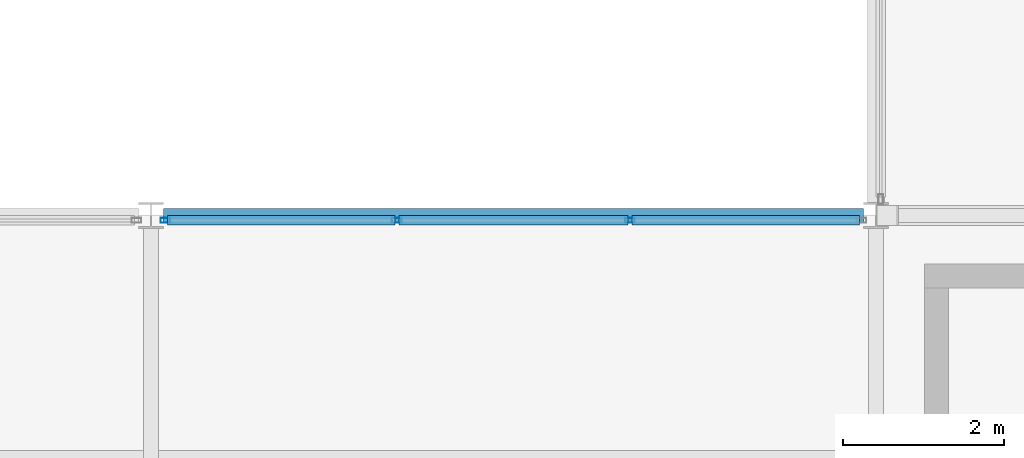
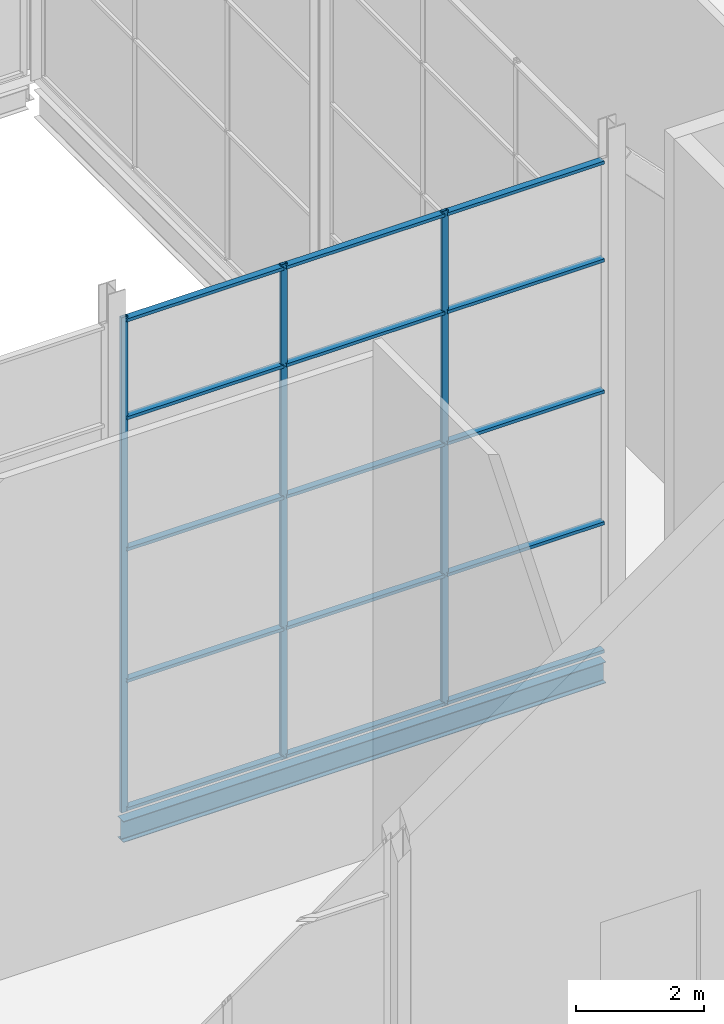
# One storey, part 28 of 111: 18 members, 1 beam, 1 element without a shape of its own.
"""IFC4 building model written with IfcOpenShell, lengths in metres."""

from ifc_helpers import new_model, si_unit, direction, frame, origin, origin_2d, place, context, subcontext, project, spatial, hollow_rectangle, i_section, extrude, material, layer, layer_set, material_profile, profile_set, type_object, element, aggregate, save


model = new_model("IFC4")

# Units and contexts
model_context = context("Model", 3, precision=1e-05, world=origin(), true_north=direction((0.0, 1.0)))
body_context = subcontext(model_context, "Body", "Model", "MODEL_VIEW")
ifc_project = project(units=[si_unit("LENGTHUNIT", "METRE"), si_unit("AREAUNIT", "SQUARE_METRE"), si_unit("VOLUMEUNIT", "CUBIC_METRE"), si_unit("PLANEANGLEUNIT", "RADIAN"), si_unit("MASSUNIT", "GRAM", prefix="KILO")], contexts=[model_context])

# Site, building, storey
site_placement = place(None, origin())
site = spatial("IfcSite", under=ifc_project, at=site_placement, CompositionType="ELEMENT")
building_placement = place(site_placement, origin())
building = spatial("IfcBuilding", under=site, at=building_placement, Name="Shorebreak Coast Museum", CompositionType="ELEMENT")
storey_placement = place(building_placement, frame((0.0, 0.0, 16.0)))
storey = spatial("IfcBuildingStorey", under=building, at=storey_placement, Name="L03", CompositionType="ELEMENT", Elevation=16.0)

# Beam
ifc_material_1 = material(Name="Steel Grade 300", Category="steel")
ifc_material_profile_1 = material_profile(ifc_material_1, i_section(OverallWidth=0.177978515625, OverallDepth=0.402587890625, WebThickness=0.007568359375, FlangeThickness=0.010986328125, FilletRadius=0.011474609375, at=origin_2d()), Name="410UB53.7")
ifc_profile_set_1 = profile_set([ifc_material_profile_1], Name="Steel Grade 300")
beam_type = type_object("IfcBeamType", Name="Floor girder east-west 410UB53.7", PredefinedType="BEAM", material=ifc_profile_set_1)
beam_placement = place(storey_placement, frame((99.155517578125, 63.0, -0.376220703125), z_axis=(1.0, 0.0, 0.0), x_axis=(0.0, 1.0, 0.0)))
element("IfcBeam", 1, at=beam_placement, inside=storey, type_object=beam_type, Name="Floor girder east-west L03 12H", PredefinedType="BEAM", context=body_context, shape_type="SweptSolid", body=[
    extrude(i_section(OverallWidth=0.177978515625, OverallDepth=0.402587890625, WebThickness=0.007568359375, FlangeThickness=0.010986328125, FilletRadius=0.011474609375, at=origin_2d()), origin(), (0.0, 0.0, 1.0), 8.68896484375),
])

# Curtain wall, members
ifc_material_2 = material(Name="Aluminium", Category="aluminium")
ifc_layer = layer(ifc_material_2, 0.1201171875)
ifc_layer_set = layer_set([ifc_layer], Name="Aluminium")
curtain_wall_type = type_object("IfcCurtainWallType", Name="Atrium fire screen", PredefinedType="NOTDEFINED", material=ifc_layer_set)
curtain_wall_placement = place(storey_placement, origin())
curtain_wall = element("IfcCurtainWall", 2, at=curtain_wall_placement, inside=storey, type_object=curtain_wall_type, Name="Atrium screen L03 S 38", PredefinedType="NOTDEFINED")
ifc_material_3 = material(Name="Aluminium", Category="aluminium")
ifc_material_profile_2 = material_profile(ifc_material_3, hollow_rectangle(XDim=0.06005859375, YDim=0.1201171875, WallThickness=0.00341796875, at=origin_2d()), Name="AL 120x60 RHS")
ifc_profile_set_2 = profile_set([ifc_material_profile_2], Name="Aluminium")
member_type_1 = type_object("IfcMemberType", Name="Screen mullion 50 x 120", PredefinedType="MULLION", material=ifc_profile_set_2)
member_1_placement = place(storey_placement, frame((99.179443359375, 62.93994140625, 0.0), z_axis=(0.0, 0.0, 1.0), x_axis=(0.0, 1.0, 0.0)))
member_1 = element("IfcMember", 3, at=member_1_placement, type_object=member_type_1, Name="CW6 mullion 1", PredefinedType="MULLION", context=body_context, shape_type="SweptSolid", body=[
    extrude(hollow_rectangle(XDim=0.06005859375, YDim=0.1201171875, WallThickness=0.00341796875, at=origin_2d()), origin(), (0.0, 0.0, 1.0), 9.42236328125),
])
member_2_placement = place(storey_placement, frame((102.051513671875, 62.93994140625, 0.0), z_axis=(0.0, 0.0, 1.0), x_axis=(0.0, 1.0, 0.0)))
member_2 = element("IfcMember", 4, at=member_2_placement, type_object=member_type_1, Name="CW6 mullion 2", PredefinedType="MULLION", context=body_context, shape_type="SweptSolid", body=[
    extrude(hollow_rectangle(XDim=0.06005859375, YDim=0.1201171875, WallThickness=0.00341796875, at=origin_2d()), origin(), (0.0, 0.0, 1.0), 9.42236328125),
])
member_3_placement = place(storey_placement, frame((104.948486328125, 62.93994140625, 0.0), z_axis=(0.0, 0.0, 1.0), x_axis=(0.0, 1.0, 0.0)))
member_3 = element("IfcMember", 5, at=member_3_placement, type_object=member_type_1, Name="CW6 mullion 3", PredefinedType="MULLION", context=body_context, shape_type="SweptSolid", body=[
    extrude(hollow_rectangle(XDim=0.06005859375, YDim=0.1201171875, WallThickness=0.00341796875, at=origin_2d()), origin(), (0.0, 0.0, 1.0), 9.42236328125),
])
ifc_material_4 = material(Name="Aluminium", Category="aluminium")
ifc_material_profile_3 = material_profile(ifc_material_4, hollow_rectangle(XDim=0.1201171875, YDim=0.06005859375, WallThickness=0.00341796875, at=origin_2d()), Name="AL 60x120 RHS")
ifc_profile_set_3 = profile_set([ifc_material_profile_3], Name="Aluminium")
member_type_2 = type_object("IfcMemberType", Name="Screen transom 120 x 50", PredefinedType="USERDEFINED", material=ifc_profile_set_3)
member_4_placement = place(storey_placement, frame((99.20458984375, 62.93994140625, 0.06005859375), z_axis=(1.0, 0.0, 0.0), x_axis=(0.0, 1.0, 0.0)))
member_4 = element("IfcMember", 6, at=member_4_placement, type_object=member_type_2, Name="CW6 transom 1.1", ObjectType="TRANSOM", PredefinedType="USERDEFINED", context=body_context, shape_type="SweptSolid", body=[
    extrude(hollow_rectangle(XDim=0.1201171875, YDim=0.06005859375, WallThickness=0.00341796875, at=origin_2d()), origin(), (0.0, 0.0, 1.0), 2.822021484375),
])
member_5_placement = place(storey_placement, frame((99.20458984375, 62.93994140625, 2.5), z_axis=(1.0, 0.0, 0.0), x_axis=(0.0, 1.0, 0.0)))
member_5 = element("IfcMember", 7, at=member_5_placement, type_object=member_type_2, Name="CW6 transom 1.2", ObjectType="TRANSOM", PredefinedType="USERDEFINED", context=body_context, shape_type="SweptSolid", body=[
    extrude(hollow_rectangle(XDim=0.1201171875, YDim=0.06005859375, WallThickness=0.00341796875, at=origin_2d()), origin(), (0.0, 0.0, 1.0), 2.822021484375),
])
member_6_placement = place(storey_placement, frame((99.20458984375, 62.93994140625, 5.0), z_axis=(1.0, 0.0, 0.0), x_axis=(0.0, 1.0, 0.0)))
member_6 = element("IfcMember", 8, at=member_6_placement, type_object=member_type_2, Name="CW6 transom 1.3", ObjectType="TRANSOM", PredefinedType="USERDEFINED", context=body_context, shape_type="SweptSolid", body=[
    extrude(hollow_rectangle(XDim=0.1201171875, YDim=0.06005859375, WallThickness=0.00341796875, at=origin_2d()), origin(), (0.0, 0.0, 1.0), 2.822021484375),
])
member_7_placement = place(storey_placement, frame((99.20458984375, 62.93994140625, 7.5), z_axis=(1.0, 0.0, 0.0), x_axis=(0.0, 1.0, 0.0)))
member_7 = element("IfcMember", 9, at=member_7_placement, type_object=member_type_2, Name="CW6 transom 1.4", ObjectType="TRANSOM", PredefinedType="USERDEFINED", context=body_context, shape_type="SweptSolid", body=[
    extrude(hollow_rectangle(XDim=0.1201171875, YDim=0.06005859375, WallThickness=0.00341796875, at=origin_2d()), origin(), (0.0, 0.0, 1.0), 2.822021484375),
])
member_8_placement = place(storey_placement, frame((99.20458984375, 62.93994140625, 9.3623046875), z_axis=(1.0, 0.0, 0.0), x_axis=(0.0, 1.0, 0.0)))
member_8 = element("IfcMember", 10, at=member_8_placement, type_object=member_type_2, Name="CW6 transom 1.5", ObjectType="TRANSOM", PredefinedType="USERDEFINED", context=body_context, shape_type="SweptSolid", body=[
    extrude(hollow_rectangle(XDim=0.1201171875, YDim=0.06005859375, WallThickness=0.00341796875, at=origin_2d()), origin(), (0.0, 0.0, 1.0), 2.822021484375),
])
member_9_placement = place(storey_placement, frame((102.076416015625, 62.93994140625, 0.06005859375), z_axis=(1.0, 0.0, 0.0), x_axis=(0.0, 1.0, 0.0)))
member_9 = element("IfcMember", 11, at=member_9_placement, type_object=member_type_2, Name="CW6 transom 2.1", ObjectType="TRANSOM", PredefinedType="USERDEFINED", context=body_context, shape_type="SweptSolid", body=[
    extrude(hollow_rectangle(XDim=0.1201171875, YDim=0.06005859375, WallThickness=0.00341796875, at=origin_2d()), origin(), (0.0, 0.0, 1.0), 2.84716796875),
])
member_10_placement = place(storey_placement, frame((102.076416015625, 62.93994140625, 2.5), z_axis=(1.0, 0.0, 0.0), x_axis=(0.0, 1.0, 0.0)))
member_10 = element("IfcMember", 12, at=member_10_placement, type_object=member_type_2, Name="CW6 transom 2.2", ObjectType="TRANSOM", PredefinedType="USERDEFINED", context=body_context, shape_type="SweptSolid", body=[
    extrude(hollow_rectangle(XDim=0.1201171875, YDim=0.06005859375, WallThickness=0.00341796875, at=origin_2d()), origin(), (0.0, 0.0, 1.0), 2.84716796875),
])
member_11_placement = place(storey_placement, frame((102.076416015625, 62.93994140625, 5.0), z_axis=(1.0, 0.0, 0.0), x_axis=(0.0, 1.0, 0.0)))
member_11 = element("IfcMember", 13, at=member_11_placement, type_object=member_type_2, Name="CW6 transom 2.3", ObjectType="TRANSOM", PredefinedType="USERDEFINED", context=body_context, shape_type="SweptSolid", body=[
    extrude(hollow_rectangle(XDim=0.1201171875, YDim=0.06005859375, WallThickness=0.00341796875, at=origin_2d()), origin(), (0.0, 0.0, 1.0), 2.84716796875),
])
member_12_placement = place(storey_placement, frame((102.076416015625, 62.93994140625, 7.5), z_axis=(1.0, 0.0, 0.0), x_axis=(0.0, 1.0, 0.0)))
member_12 = element("IfcMember", 14, at=member_12_placement, type_object=member_type_2, Name="CW6 transom 2.4", ObjectType="TRANSOM", PredefinedType="USERDEFINED", context=body_context, shape_type="SweptSolid", body=[
    extrude(hollow_rectangle(XDim=0.1201171875, YDim=0.06005859375, WallThickness=0.00341796875, at=origin_2d()), origin(), (0.0, 0.0, 1.0), 2.84716796875),
])
member_13_placement = place(storey_placement, frame((102.076416015625, 62.93994140625, 9.3623046875), z_axis=(1.0, 0.0, 0.0), x_axis=(0.0, 1.0, 0.0)))
member_13 = element("IfcMember", 15, at=member_13_placement, type_object=member_type_2, Name="CW6 transom 2.5", ObjectType="TRANSOM", PredefinedType="USERDEFINED", context=body_context, shape_type="SweptSolid", body=[
    extrude(hollow_rectangle(XDim=0.1201171875, YDim=0.06005859375, WallThickness=0.00341796875, at=origin_2d()), origin(), (0.0, 0.0, 1.0), 2.84716796875),
])
member_14_placement = place(storey_placement, frame((104.973388671875, 62.93994140625, 0.06005859375), z_axis=(1.0, 0.0, 0.0), x_axis=(0.0, 1.0, 0.0)))
member_14 = element("IfcMember", 16, at=member_14_placement, type_object=member_type_2, Name="CW6 transom 3.1", ObjectType="TRANSOM", PredefinedType="USERDEFINED", context=body_context, shape_type="SweptSolid", body=[
    extrude(hollow_rectangle(XDim=0.1201171875, YDim=0.06005859375, WallThickness=0.00341796875, at=origin_2d()), origin(), (0.0, 0.0, 1.0), 2.822021484375),
])
member_15_placement = place(storey_placement, frame((104.973388671875, 62.93994140625, 2.5), z_axis=(1.0, 0.0, 0.0), x_axis=(0.0, 1.0, 0.0)))
member_15 = element("IfcMember", 17, at=member_15_placement, type_object=member_type_2, Name="CW6 transom 3.2", ObjectType="TRANSOM", PredefinedType="USERDEFINED", context=body_context, shape_type="SweptSolid", body=[
    extrude(hollow_rectangle(XDim=0.1201171875, YDim=0.06005859375, WallThickness=0.00341796875, at=origin_2d()), origin(), (0.0, 0.0, 1.0), 2.822021484375),
])
member_16_placement = place(storey_placement, frame((104.973388671875, 62.93994140625, 5.0), z_axis=(1.0, 0.0, 0.0), x_axis=(0.0, 1.0, 0.0)))
member_16 = element("IfcMember", 18, at=member_16_placement, type_object=member_type_2, Name="CW6 transom 3.3", ObjectType="TRANSOM", PredefinedType="USERDEFINED", context=body_context, shape_type="SweptSolid", body=[
    extrude(hollow_rectangle(XDim=0.1201171875, YDim=0.06005859375, WallThickness=0.00341796875, at=origin_2d()), origin(), (0.0, 0.0, 1.0), 2.822021484375),
])
member_17_placement = place(storey_placement, frame((104.973388671875, 62.93994140625, 7.5), z_axis=(1.0, 0.0, 0.0), x_axis=(0.0, 1.0, 0.0)))
member_17 = element("IfcMember", 19, at=member_17_placement, type_object=member_type_2, Name="CW6 transom 3.4", ObjectType="TRANSOM", PredefinedType="USERDEFINED", context=body_context, shape_type="SweptSolid", body=[
    extrude(hollow_rectangle(XDim=0.1201171875, YDim=0.06005859375, WallThickness=0.00341796875, at=origin_2d()), origin(), (0.0, 0.0, 1.0), 2.822021484375),
])
member_18_placement = place(storey_placement, frame((104.973388671875, 62.93994140625, 9.3623046875), z_axis=(1.0, 0.0, 0.0), x_axis=(0.0, 1.0, 0.0)))
member_18 = element("IfcMember", 20, at=member_18_placement, type_object=member_type_2, Name="CW6 transom 3.5", ObjectType="TRANSOM", PredefinedType="USERDEFINED", context=body_context, shape_type="SweptSolid", body=[
    extrude(hollow_rectangle(XDim=0.1201171875, YDim=0.06005859375, WallThickness=0.00341796875, at=origin_2d()), origin(), (0.0, 0.0, 1.0), 2.822021484375),
])
aggregate(curtain_wall, [member_1, member_2, member_3, member_4, member_5, member_6, member_7, member_8, member_9, member_10, member_11, member_12, member_13, member_14, member_15, member_16, member_17, member_18])

save(model, "model.ifc")
